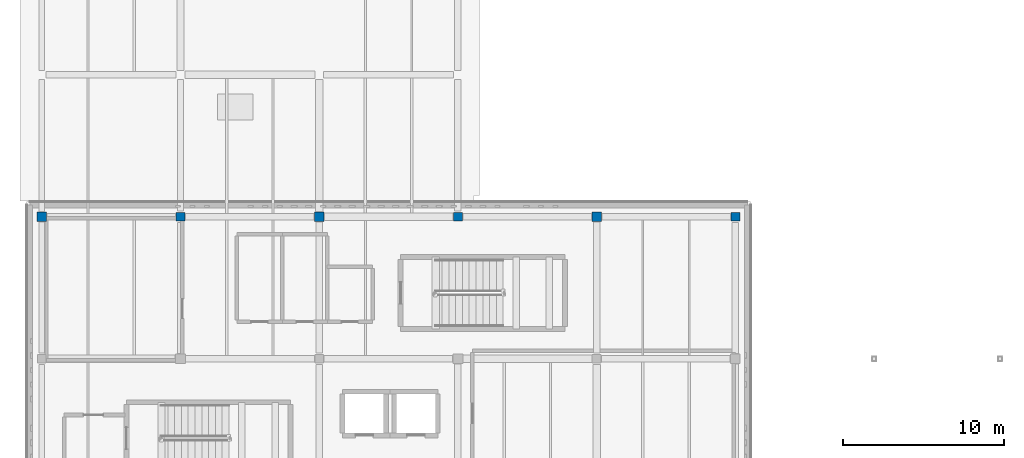
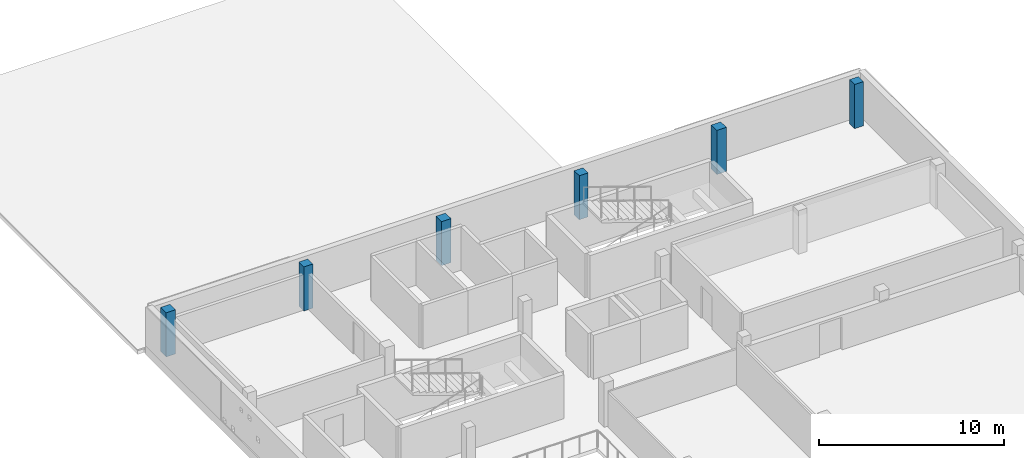
# One storey, part 3 of 17: 6 columns.
"""IFC4 building model written with IfcOpenShell, lengths in metres."""

from ifc_helpers import new_model, si_unit, direction, frame, origin, origin_2d, place, context, subcontext, project, spatial, rectangle, extrude, material, material_profile, profile_set, type_object, element, save


model = new_model("IFC4")

# Units and contexts
model_context = context("Model", 3, precision=1e-05, world=origin(), true_north=direction((0.0, 1.0)))
body_context = subcontext(model_context, "Body", "Model", "MODEL_VIEW")
ifc_project = project(units=[si_unit("LENGTHUNIT", "METRE"), si_unit("AREAUNIT", "SQUARE_METRE"), si_unit("VOLUMEUNIT", "CUBIC_METRE"), si_unit("PLANEANGLEUNIT", "RADIAN"), si_unit("MASSUNIT", "GRAM", prefix="KILO")], contexts=[model_context])

# Site, building, storey
site_placement = place(None, origin())
site = spatial("IfcSite", under=ifc_project, at=site_placement, CompositionType="ELEMENT")
building_placement = place(site_placement, origin())
building = spatial("IfcBuilding", under=site, at=building_placement, Name="Varnakota Cinema and Media Centre", CompositionType="ELEMENT")
storey_placement = place(building_placement, frame((0.0, 0.0, 22.35009765625)))
storey = spatial("IfcBuildingStorey", under=building, at=storey_placement, Name="L06", CompositionType="ELEMENT", Elevation=22.35009765625)

# Columns
ifc_material_1 = material(Name="Concrete M40", Category="concrete")
ifc_material_profile_1 = material_profile(ifc_material_1, rectangle(XDim=0.550048828125, YDim=0.550048828125, at=origin_2d()), Name="RC 550x550")
ifc_profile_set_1 = profile_set([ifc_material_profile_1], Name="Concrete M40")
column_type_1 = type_object("IfcColumnType", Name="COL-RC-550x550", PredefinedType="COLUMN", material=ifc_profile_set_1)
for number, where, z_axis, x_axis, name in (
    (1, (8.60009765625, 35.199951171875, 0.0), (0.0, 0.0, 1.0), (1.0, 0.0, 0.0), "L06 column B/5"),
    (2, (25.800048828125, 35.199951171875, 0.0), (0.0, 0.0, 1.0), (1.0, 0.0, 0.0), "L06 column D/5"),
    (3, (43.0, 35.199951171875, 0.0), (0.0, 0.0, 1.0), (1.0, 0.0, 0.0), "L06 column F/5"),
):
    element("IfcColumn", number, at=place(storey_placement, frame(where, z_axis=z_axis, x_axis=x_axis)), inside=storey, type_object=column_type_1, Name=name, PredefinedType="COLUMN", context=body_context, shape_type="SweptSolid", body=[
        extrude(rectangle(XDim=0.550048828125, YDim=0.550048828125, at=origin_2d()), origin(), (0.0, 0.0, 1.0), 2.909912109375),
    ])
ifc_material_2 = material(Name="Concrete M40", Category="concrete")
ifc_material_profile_2 = material_profile(ifc_material_2, rectangle(XDim=0.60009765625, YDim=0.60009765625, at=origin_2d()), Name="RC 600x600")
ifc_profile_set_2 = profile_set([ifc_material_profile_2], Name="Concrete M40")
column_type_2 = type_object("IfcColumnType", Name="COL-RC-600x600", PredefinedType="COLUMN", material=ifc_profile_set_2)
for number, where, z_axis, x_axis, name in (
    (4, (0.0, 35.199951171875, 0.0), (0.0, 0.0, 1.0), (1.0, 0.0, 0.0), "L06 column A/5"),
    (5, (17.199951171875, 35.199951171875, 0.0), (0.0, 0.0, 1.0), (1.0, 0.0, 0.0), "L06 column C/5"),
    (6, (34.39990234375, 35.199951171875, 0.0), (0.0, 0.0, 1.0), (1.0, 0.0, 0.0), "L06 column E/5"),
):
    element("IfcColumn", number, at=place(storey_placement, frame(where, z_axis=z_axis, x_axis=x_axis)), inside=storey, type_object=column_type_2, Name=name, PredefinedType="COLUMN", context=body_context, shape_type="SweptSolid", body=[
        extrude(rectangle(XDim=0.60009765625, YDim=0.60009765625, at=origin_2d()), origin(), (0.0, 0.0, 1.0), 2.909912109375),
    ])

save(model, "model.ifc")
